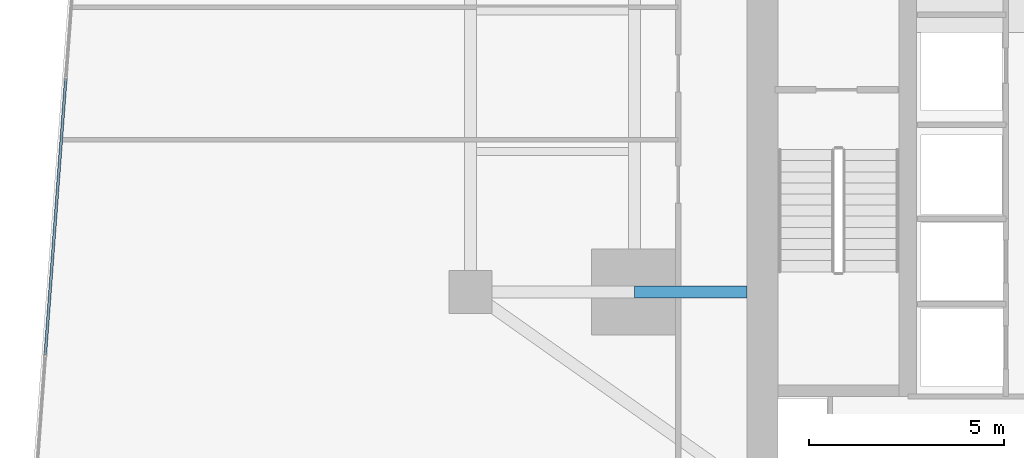
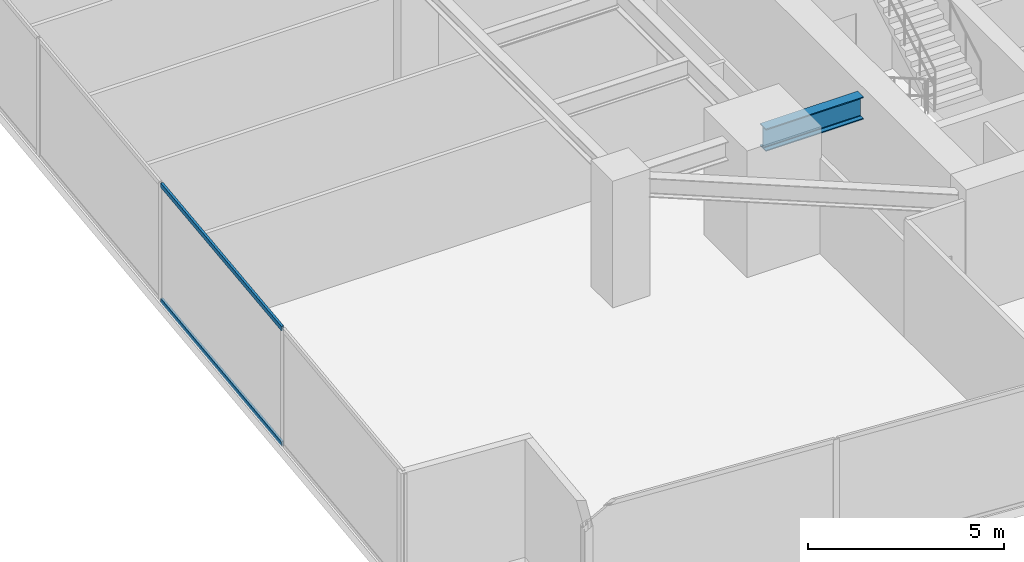
# One storey, part 7 of 30: 2 members, 1 beam, 1 element without a shape of its own.
"""IFC4 building model written with IfcOpenShell, lengths in metres."""

from ifc_helpers import new_model, si_unit, direction, frame, origin, origin_2d, place, context, subcontext, project, spatial, hollow_rectangle, i_section, extrude, source, transform, mapped, material, material_profile, profile_set, type_object, type_shapes, element, aggregate, save


model = new_model("IFC4")

# Units and contexts
model_context = context("Model", 3, precision=1e-05, world=origin(), true_north=direction((0.0, 1.0)))
body_context = subcontext(model_context, "Body", "Model", "MODEL_VIEW")
ifc_project = project(units=[si_unit("LENGTHUNIT", "METRE"), si_unit("AREAUNIT", "SQUARE_METRE"), si_unit("VOLUMEUNIT", "CUBIC_METRE"), si_unit("PLANEANGLEUNIT", "RADIAN"), si_unit("MASSUNIT", "GRAM", prefix="KILO")], contexts=[model_context])

# Site, building, storey
site_placement = place(None, origin())
site = spatial("IfcSite", under=ifc_project, at=site_placement, CompositionType="ELEMENT")
building_placement = place(site_placement, origin())
building = spatial("IfcBuilding", under=site, at=building_placement, Name="Krantzveldt Concourse Tower", CompositionType="ELEMENT")
storey_placement = place(building_placement, frame((0.0, 0.0, 48.699951171875)))
storey = spatial("IfcBuildingStorey", under=building, at=storey_placement, Name="L11", CompositionType="ELEMENT", Elevation=48.699951171875)

# Beam
ifc_material_1 = material(Name="Steel S355J2", Category="steel")
ifc_material_profile_1 = material_profile(ifc_material_1, i_section(OverallWidth=0.300048828125, OverallDepth=0.699951171875, WebThickness=0.01708984375, FlangeThickness=0.031982421875, FilletRadius=0.027099609375, at=origin_2d()), Name="Steel S355J2", Category="steel")
ifc_profile_set_1 = profile_set([ifc_material_profile_1], Name="Steel S355J2 - HEB 700")
beam_type = type_object("IfcBeamType", Name="BM-B-HEB700", PredefinedType="BEAM", material=ifc_profile_set_1)
shared_shape_1 = source(origin(), body_context, "Body", "SweptSolid", [
    extrude(i_section(OverallWidth=0.300048828125, OverallDepth=0.699951171875, WebThickness=0.01708984375, FlangeThickness=0.031982421875, FilletRadius=0.027099609375, at=origin_2d()), origin(), (0.0, 0.0, 1.0), 2.880126953125),
])
type_shapes(beam_type, [shared_shape_1])
beam_placement = place(storey_placement, frame((25.199951171875, 15.89990234375, 3.320068359375), z_axis=(1.0, 0.0, 0.0), x_axis=(0.0, 1.0, 0.0)))
element("IfcBeam", 1, at=beam_placement, inside=storey, type_object=beam_type, Name="L11 Tower Girder BG-CW1", PredefinedType="BEAM", context=body_context, shape_type="MappedRepresentation", body=[
    mapped(shared_shape_1, transform((0.0, 0.0, 0.0), x_axis=(1.0, 0.0, 0.0), y_axis=(0.0, 1.0, 0.0), z_axis=(0.0, 0.0, 1.0), scale=1.0)),
])

# Curtain wall, members
ifc_material_2 = material(Name="Anodised aluminium 6063-T6", Category="aluminium")
curtain_wall_type = type_object("IfcCurtainWallType", Name="CW2", PredefinedType="USERDEFINED", material=ifc_material_2)
curtain_wall_placement = place(storey_placement, origin())
curtain_wall = element("IfcCurtainWall", 2, at=curtain_wall_placement, inside=storey, type_object=curtain_wall_type, Name="CW-L11-F01", ObjectType="UNITISED CURTAIN WALL", PredefinedType="USERDEFINED")
ifc_material_profile_2 = material_profile(ifc_material_2, hollow_rectangle(XDim=0.070068359375, YDim=0.139892578125, WallThickness=0.0048828125, at=origin_2d()), Name="Anodised aluminium 6063-T6", Category="aluminium")
ifc_profile_set_2 = profile_set([ifc_material_profile_2], Name="Anodised aluminium 6063-T6 - ALU-TRAN 140x70x5")
member_type = type_object("IfcMemberType", Name="CW-TRN-150", PredefinedType="USERDEFINED", material=ifc_profile_set_2)
shared_shape_2 = source(origin(), body_context, "Body", "SweptSolid", [
    extrude(hollow_rectangle(XDim=0.070068359375, YDim=0.139892578125, WallThickness=0.0048828125, at=origin_2d()), origin(), (0.0, 0.0, 1.0), 7.0966796875),
])
type_shapes(member_type, [shared_shape_2])
member_1_placement = place(storey_placement, frame((10.624755859375, 21.3642578125, 0.03515625), z_axis=(-0.074102314311, -0.997250644028, 0.0), x_axis=(0.997250644028, -0.074102314311, 0.0)))
member_1 = element("IfcMember", 3, at=member_1_placement, type_object=member_type, Name="CW-Z12 transom 5.1", ObjectType="TRANSOM", PredefinedType="USERDEFINED", context=body_context, shape_type="MappedRepresentation", body=[
    mapped(shared_shape_2, transform((0.0, 0.0, 0.0), x_axis=(1.0, 0.0, 0.0), y_axis=(0.0, 1.0, 0.0), z_axis=(0.0, 0.0, 1.0), scale=1.0)),
])
member_2_placement = place(storey_placement, frame((10.624755859375, 21.3642578125, 3.635009765625), z_axis=(-0.074102314311, -0.997250644028, 0.0), x_axis=(0.997250644028, -0.074102314311, 0.0)))
member_2 = element("IfcMember", 4, at=member_2_placement, type_object=member_type, Name="CW-Z12 transom 5.2", ObjectType="TRANSOM", PredefinedType="USERDEFINED", context=body_context, shape_type="MappedRepresentation", body=[
    mapped(shared_shape_2, transform((0.0, 0.0, 0.0), x_axis=(1.0, 0.0, 0.0), y_axis=(0.0, 1.0, 0.0), z_axis=(0.0, 0.0, 1.0), scale=1.0)),
])
aggregate(curtain_wall, [member_1, member_2])

save(model, "model.ifc")
